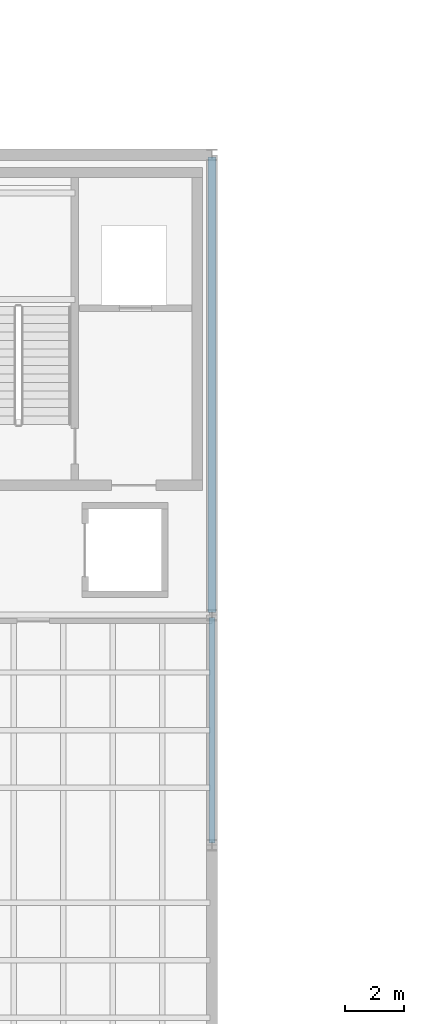
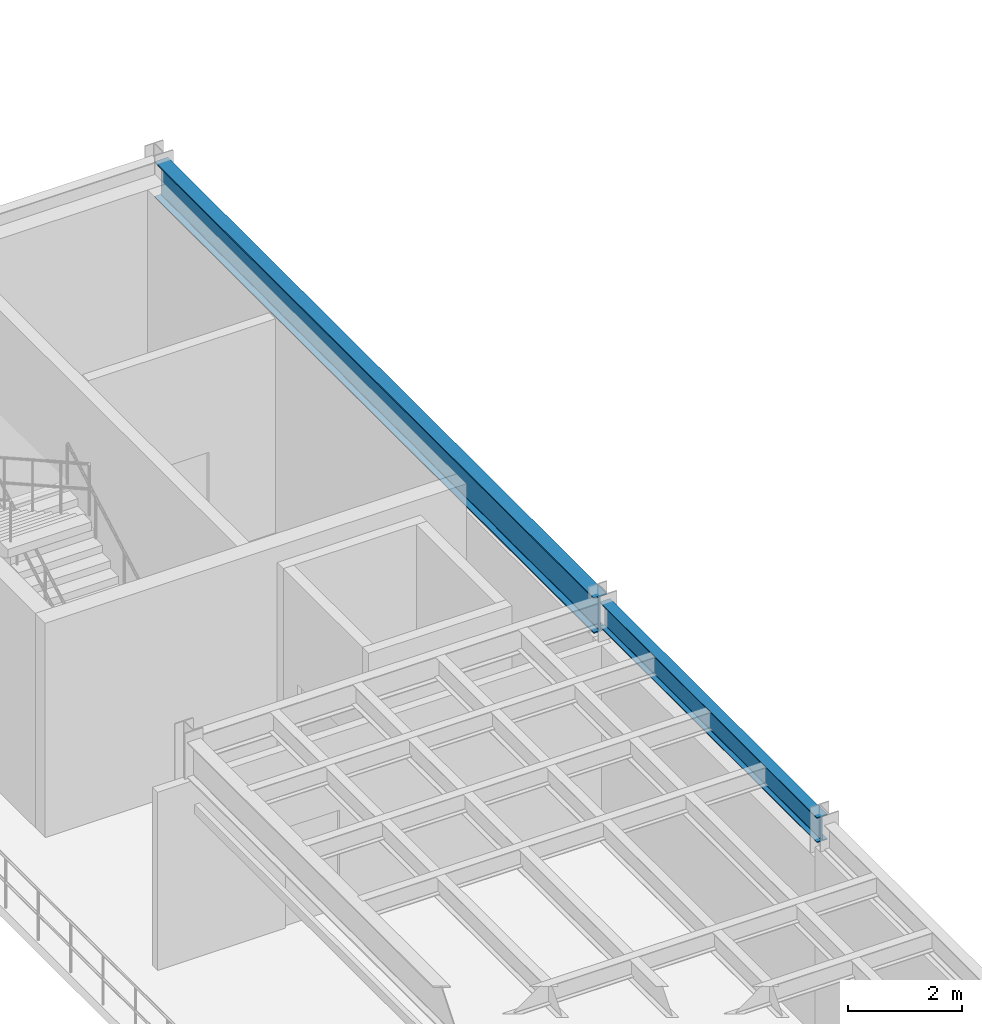
# One storey, part 52 of 105: 2 beams.
"""IFC4 building model written with IfcOpenShell, lengths in metres."""

from ifc_helpers import new_model, si_unit, direction, frame, origin, origin_2d, place, context, subcontext, project, spatial, i_section, extrude, material, material_profile, profile_set, type_object, element, save


model = new_model("IFC4")

# Units and contexts
model_context = context("Model", 3, precision=1e-05, world=origin(), true_north=direction((0.0, 1.0)))
body_context = subcontext(model_context, "Body", "Model", "MODEL_VIEW")
ifc_project = project(units=[si_unit("LENGTHUNIT", "METRE"), si_unit("AREAUNIT", "SQUARE_METRE"), si_unit("VOLUMEUNIT", "CUBIC_METRE"), si_unit("PLANEANGLEUNIT", "RADIAN"), si_unit("MASSUNIT", "GRAM", prefix="KILO")], contexts=[model_context])

# Site, building, storey
site_placement = place(None, origin())
site = spatial("IfcSite", under=ifc_project, at=site_placement, CompositionType="ELEMENT")
building_placement = place(site_placement, origin())
building = spatial("IfcBuilding", under=site, at=building_placement, Name="Selat Folded Stagehouse", CompositionType="ELEMENT")
storey_placement = place(building_placement, frame((0.0, 0.0, 10.199951171875)))
storey = spatial("IfcBuildingStorey", under=building, at=storey_placement, Name="L02", CompositionType="ELEMENT", Elevation=10.199951171875)

# Beams
ifc_material = material(Name="Steel S355", Category="steel")
ifc_material_profile_1 = material_profile(ifc_material, i_section(OverallWidth=0.210693359375, OverallDepth=0.53955078125, WebThickness=0.01171875, FlangeThickness=0.018798828125, FilletRadius=0.0126953125, at=origin_2d()), Name="UKB 533x210x109")
ifc_profile_set_1 = profile_set([ifc_material_profile_1], Name="Steel S355")
beam_type_1 = type_object("IfcBeamType", Name="BM-GIRD-533x210x109", PredefinedType="BEAM", material=ifc_profile_set_1)
beam_1_placement = place(storey_placement, frame((67.199951171875, 31.280029296875, 4.330322265625), z_axis=(0.0, 1.0, 0.0), x_axis=(-1.0, 0.0, 0.0)))
element("IfcBeam", 1, at=beam_1_placement, inside=storey, type_object=beam_type_1, Name="L02 primary y-girder 1059", PredefinedType="BEAM", context=body_context, shape_type="SweptSolid", body=[
    extrude(i_section(OverallWidth=0.210693359375, OverallDepth=0.53955078125, WebThickness=0.01171875, FlangeThickness=0.018798828125, FilletRadius=0.0126953125, at=origin_2d()), origin(), (0.0, 0.0, 1.0), 7.639892578125),
])
ifc_material_profile_2 = material_profile(ifc_material, i_section(OverallWidth=0.26806640625, OverallDepth=0.769775390625, WebThickness=0.015625, FlangeThickness=0.025390625, FilletRadius=0.0166015625, at=origin_2d()), Name="UKB 762x267x197")
ifc_profile_set_2 = profile_set([ifc_material_profile_2], Name="Steel S355")
beam_type_2 = type_object("IfcBeamType", Name="BM-GIRD-762x267x197", PredefinedType="BEAM", material=ifc_profile_set_2)
beam_2_placement = place(storey_placement, frame((67.199951171875, 39.080078125, 4.215087890625), z_axis=(0.0, 1.0, 0.0), x_axis=(-1.0, 0.0, 0.0)))
element("IfcBeam", 2, at=beam_2_placement, inside=storey, type_object=beam_type_2, Name="L02 primary y-girder 1060", PredefinedType="BEAM", context=body_context, shape_type="SweptSolid", body=[
    extrude(i_section(OverallWidth=0.26806640625, OverallDepth=0.769775390625, WebThickness=0.015625, FlangeThickness=0.025390625, FilletRadius=0.0166015625, at=origin_2d()), origin(), (0.0, 0.0, 1.0), 15.43994140625),
])

save(model, "model.ifc")
